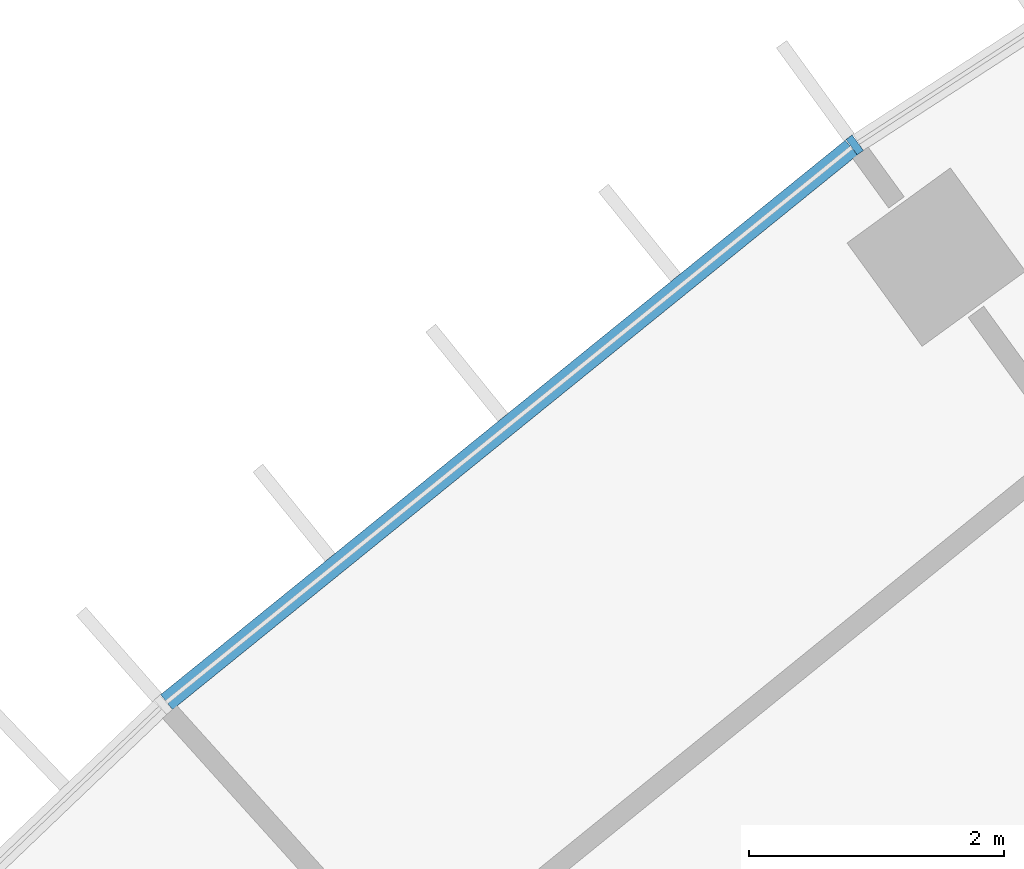
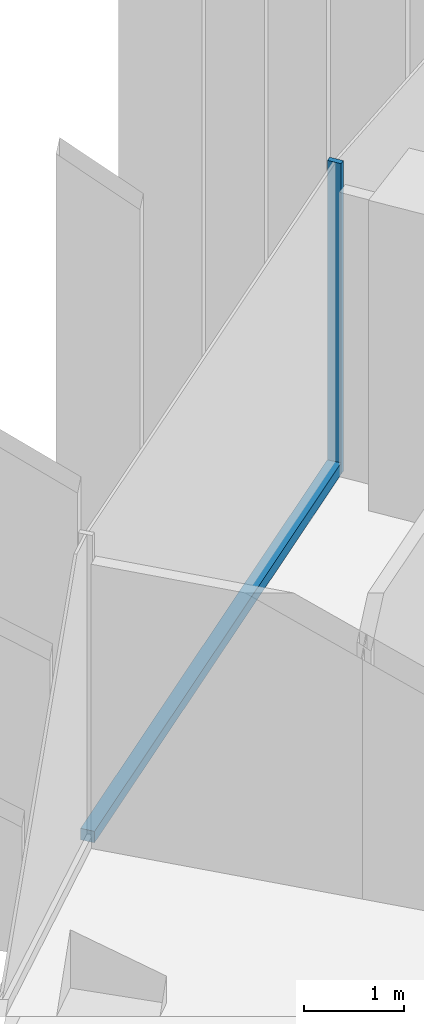
# One storey, part 4 of 23: 2 members, 1 element without a shape of its own.
"""IFC4 building model written with IfcOpenShell, lengths in metres."""

from ifc_helpers import new_model, si_unit, direction, frame, origin, origin_2d, place, context, subcontext, project, spatial, rectangle, extrude, material, layer, layer_set, material_profile, profile_set, type_object, element, aggregate, save


model = new_model("IFC4")

# Units and contexts
model_context = context("Model", 3, precision=1e-05, world=origin(), true_north=direction((0.0, 1.0)))
body_context = subcontext(model_context, "Body", "Model", "MODEL_VIEW")
ifc_project = project(units=[si_unit("LENGTHUNIT", "METRE"), si_unit("AREAUNIT", "SQUARE_METRE"), si_unit("VOLUMEUNIT", "CUBIC_METRE"), si_unit("PLANEANGLEUNIT", "RADIAN"), si_unit("MASSUNIT", "GRAM", prefix="KILO")], contexts=[model_context])

# Site, building, storey
site_placement = place(None, origin())
site = spatial("IfcSite", under=ifc_project, at=site_placement, CompositionType="ELEMENT")
building_placement = place(site_placement, origin())
building = spatial("IfcBuilding", under=site, at=building_placement, Name="Stone Belt Terrace Tower", CompositionType="ELEMENT")
storey_placement = place(building_placement, frame((0.0, 0.0, 144.0)))
storey = spatial("IfcBuildingStorey", under=building, at=storey_placement, Name="L34", CompositionType="ELEMENT", Elevation=144.0)

# Curtain wall, members
ifc_material = material(Name="Aluminium 6063-T6 anodised frame", Category="aluminium")
ifc_layer = layer(ifc_material, 0.14990234375)
ifc_layer_set = layer_set([ifc_layer], Name="CW-A unitised convex-face curtain wall")
curtain_wall_type = type_object("IfcCurtainWallType", Name="CW-A unitised convex-face curtain wall", PredefinedType="NOTDEFINED", material=ifc_layer_set)
curtain_wall_placement = place(storey_placement, origin())
curtain_wall = element("IfcCurtainWall", 1, at=curtain_wall_placement, inside=storey, type_object=curtain_wall_type, Name="CW-A convex face L34", PredefinedType="NOTDEFINED")
ifc_material_profile_1 = material_profile(ifc_material, rectangle(XDim=0.14990234375, YDim=0.06005859375, at=origin_2d()), Name="Aluminium 6063-T6 60x150")
ifc_profile_set_1 = profile_set([ifc_material_profile_1], Name="Aluminium 6063-T6 anodised frame")
member_type_1 = type_object("IfcMemberType", Name="CW-A mullion 60 x 150", PredefinedType="MULLION", material=ifc_profile_set_1)
member_1_placement = place(storey_placement, frame((-39.1318359375, 53.8603515625, 0.0), z_axis=(0.0, 0.0, 1.0), x_axis=(0.587785252292, -0.809016994375, 0.0)))
member_1 = element("IfcMember", 2, at=member_1_placement, type_object=member_type_1, Name="CW-A mullion 15", PredefinedType="MULLION", context=body_context, shape_type="SweptSolid", body=[
    extrude(rectangle(XDim=0.14990234375, YDim=0.06005859375, at=origin_2d()), origin(), (0.0, 0.0, 1.0), 3.800048828125),
])
ifc_material_profile_2 = material_profile(ifc_material, rectangle(XDim=0.14990234375, YDim=0.139892578125, at=origin_2d()), Name="Aluminium 6063-T6 150x140")
ifc_profile_set_2 = profile_set([ifc_material_profile_2], Name="Aluminium 6063-T6 anodised frame")
member_type_2 = type_object("IfcMemberType", Name="CW-A transom 140 x 150", PredefinedType="USERDEFINED", material=ifc_profile_set_2)
member_2_placement = place(storey_placement, frame((-39.158203125, 53.839111328125, 0.070068359375), z_axis=(-0.777141048626, -0.629326457842, 0.0), x_axis=(0.629326457842, -0.777141048626, 0.0)))
member_2 = element("IfcMember", 3, at=member_2_placement, type_object=member_type_2, Name="CW-A transom 15.1", ObjectType="TRANSOM", PredefinedType="USERDEFINED", context=body_context, shape_type="SweptSolid", body=[
    extrude(rectangle(XDim=0.14990234375, YDim=0.139892578125, at=origin_2d()), origin(), (0.0, 0.0, 1.0), 6.900634765625),
])
aggregate(curtain_wall, [member_1, member_2])

save(model, "model.ifc")
